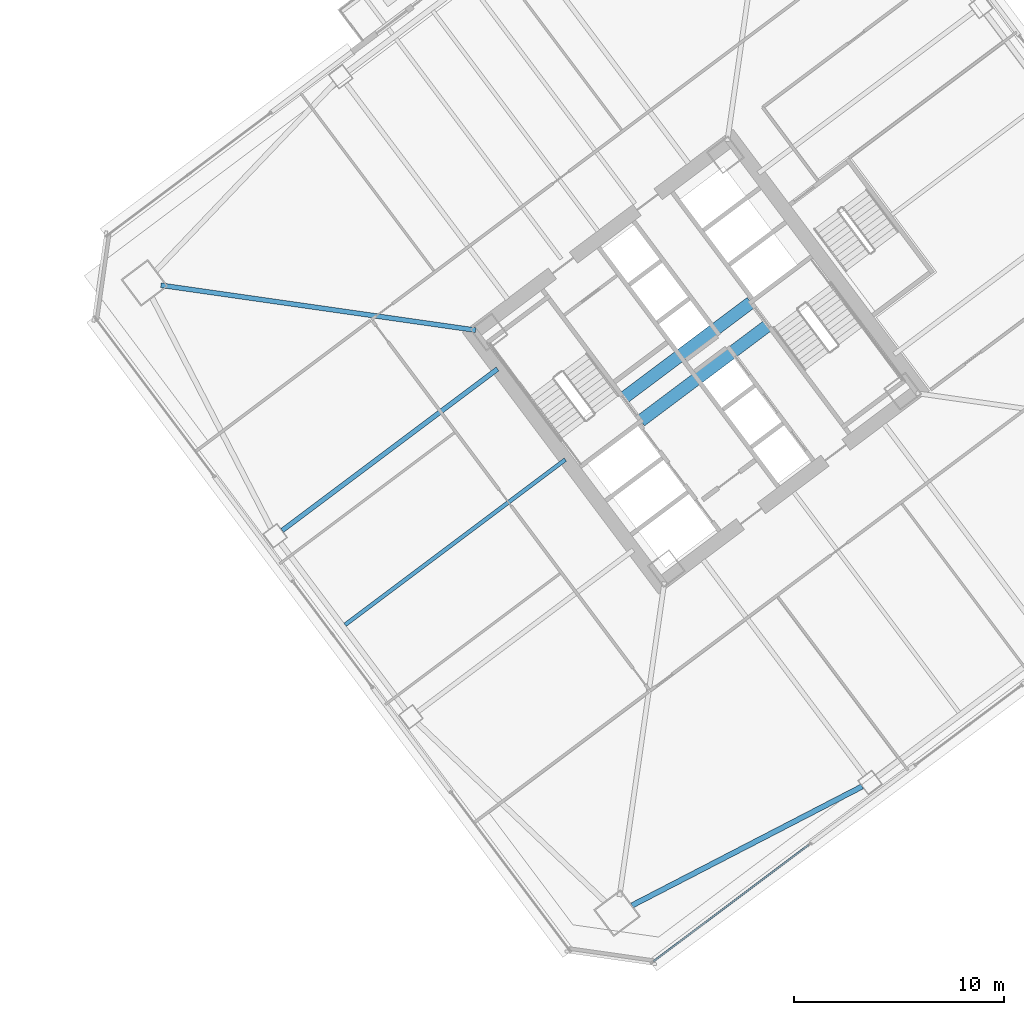
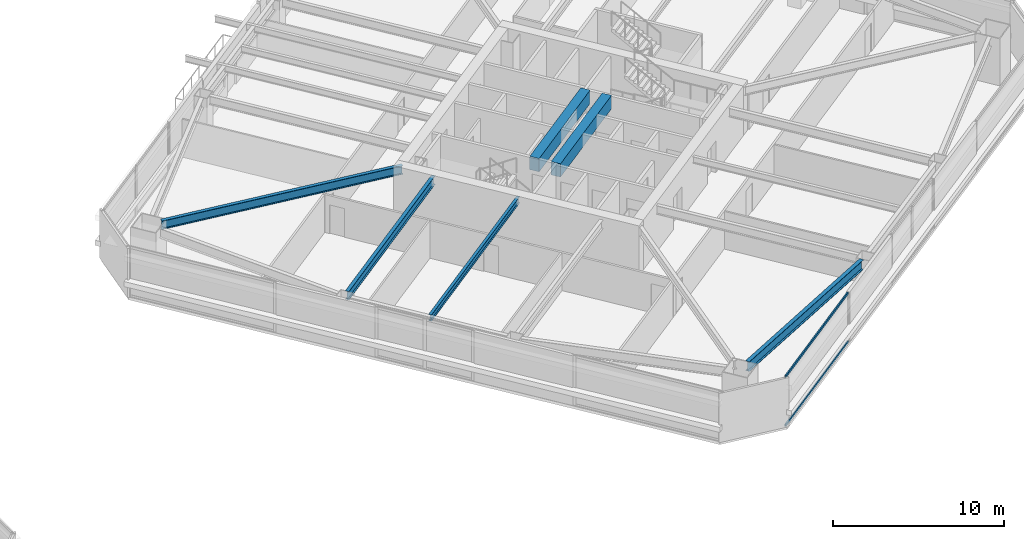
# One storey, part 20 of 45: 6 beams, 2 members, 1 element without a shape of its own.
"""IFC4 building model written with IfcOpenShell, lengths in metres."""

from ifc_helpers import new_model, si_unit, direction, frame, origin, origin_2d, place, context, subcontext, project, spatial, rectangle, hollow_rectangle, i_section, extrude, material, material_profile, profile_set, type_object, element, aggregate, save


model = new_model("IFC4")

# Units and contexts
model_context = context("Model", 3, precision=1e-05, world=origin(), true_north=direction((0.0, 1.0)))
body_context = subcontext(model_context, "Body", "Model", "MODEL_VIEW")
ifc_project = project(units=[si_unit("LENGTHUNIT", "METRE"), si_unit("AREAUNIT", "SQUARE_METRE"), si_unit("VOLUMEUNIT", "CUBIC_METRE"), si_unit("PLANEANGLEUNIT", "RADIAN"), si_unit("MASSUNIT", "GRAM", prefix="KILO")], contexts=[model_context])

# Site, building, storey
site_placement = place(None, origin())
site = spatial("IfcSite", under=ifc_project, at=site_placement, CompositionType="ELEMENT")
building_placement = place(site_placement, origin())
building = spatial("IfcBuilding", under=site, at=building_placement, Name="Tashvorn Skyway Center", CompositionType="ELEMENT")
storey_placement = place(building_placement, frame((0.0, 0.0, 35.25)))
storey = spatial("IfcBuildingStorey", under=building, at=storey_placement, Name="L08", CompositionType="ELEMENT", Elevation=35.25)

# Beams
ifc_material_1 = material(Name="Steel ASTM A992 Grade 50", Category="steel")
ifc_material_profile_1 = material_profile(ifc_material_1, i_section(OverallWidth=0.22998046875, OverallDepth=0.616943359375, WebThickness=0.01318359375, FlangeThickness=0.022216796875, at=origin_2d()), Name="W24X94")
ifc_profile_set_1 = profile_set([ifc_material_profile_1], Name="Steel ASTM A992 Grade 50")
beam_type_1 = type_object("IfcBeamType", Name="BM-BEAM-W24X94", PredefinedType="BEAM", material=ifc_profile_set_1)
beam_1_placement = place(storey_placement, frame((88.467041015625, 35.6474609375, 3.04150390625), z_axis=(0.989950458816, -0.141414599991, 0.0), x_axis=(0.141414599991, 0.989950458816, 0.0)))
element("IfcBeam", 1, at=beam_1_placement, inside=storey, type_object=beam_type_1, Name="Tower 2 L08 Primary Floor Girder MC-NW", PredefinedType="BEAM", context=body_context, shape_type="SweptSolid", body=[
    extrude(i_section(OverallWidth=0.22998046875, OverallDepth=0.616943359375, WebThickness=0.01318359375, FlangeThickness=0.022216796875, at=origin_2d()), origin(), (0.0, 0.0, 1.0), 15.177001953125),
])
beam_2_placement = place(storey_placement, frame((94.256103515625, 23.94189453125, 3.04150390625), z_axis=(0.799986320265, 0.600018239213, 0.0), x_axis=(-0.600018239213, 0.799986320265, 0.0)))
element("IfcBeam", 2, at=beam_2_placement, inside=storey, type_object=beam_type_1, Name="Tower 2 L08 Primary Floor Girder FC-W1", PredefinedType="BEAM", context=body_context, shape_type="SweptSolid", body=[
    extrude(i_section(OverallWidth=0.22998046875, OverallDepth=0.616943359375, WebThickness=0.01318359375, FlangeThickness=0.022216796875, at=origin_2d()), origin(), (0.0, 0.0, 1.0), 12.849853515625),
])
ifc_material_profile_2 = material_profile(ifc_material_1, i_section(OverallWidth=0.19091796875, OverallDepth=0.4599609375, WebThickness=0.010009765625, FlangeThickness=0.01611328125, at=origin_2d()), Name="W18X55")
ifc_profile_set_2 = profile_set([ifc_material_profile_2], Name="Steel ASTM A992 Grade 50")
beam_type_2 = type_object("IfcBeamType", Name="BM-JOIST-W18X55", PredefinedType="JOIST", material=ifc_profile_set_2)
beam_3_placement = place(storey_placement, frame((107.76806640625, 27.325927734375, 3.1201171875), z_axis=(-0.799997770398, -0.600002972791, 0.0), x_axis=(0.600002972791, -0.799997770398, 0.0)))
element("IfcBeam", 3, at=beam_3_placement, inside=storey, type_object=beam_type_2, Name="Tower 2 L08 Secondary Composite Joist JW", PredefinedType="JOIST", context=body_context, shape_type="SweptSolid", body=[
    extrude(i_section(OverallWidth=0.19091796875, OverallDepth=0.4599609375, WebThickness=0.010009765625, FlangeThickness=0.01611328125, at=origin_2d()), origin(), (0.0, 0.0, 1.0), 13.139892578125),
])
ifc_material_2 = material(Name="Concrete C60/75", Category="concrete")
ifc_material_profile_3 = material_profile(ifc_material_2, rectangle(XDim=0.60009765625, YDim=0.949951171875, at=origin_2d()), Name="RCB600x950")
ifc_profile_set_3 = profile_set([ifc_material_profile_3], Name="Concrete C60/75")
beam_type_3 = type_object("IfcBeamType", Name="BM-LINTEL-RCB600x950", PredefinedType="LINTEL", material=ifc_profile_set_3)
for number, where, z_axis, x_axis, name in (
    (4, (110.552001953125, 30.263916015625, 2.875), (0.8, 0.6, 0.0), (-0.6, 0.8, 0.0), "Tower 2 L08 Core Coupling Beam CN"),
    (5, (111.367919921875, 29.176025390625, 2.875), (0.8, 0.6, 0.0), (-0.6, 0.8, 0.0), "Tower 2 L08 Core Coupling Beam CS"),
):
    element("IfcBeam", number, at=place(storey_placement, frame(where, z_axis=z_axis, x_axis=x_axis)), inside=storey, type_object=beam_type_3, Name=name, PredefinedType="LINTEL", context=body_context, shape_type="SweptSolid", body=[
        extrude(rectangle(XDim=0.60009765625, YDim=0.949951171875, at=origin_2d()), origin(), (0.0, 0.0, 1.0), 7.60009765625),
    ])
ifc_material_profile_4 = material_profile(ifc_material_1, i_section(OverallWidth=0.256103515625, OverallDepth=0.693115234375, WebThickness=0.014404296875, FlangeThickness=0.023681640625, at=origin_2d()), Name="W27X114")
ifc_profile_set_4 = profile_set([ifc_material_profile_4], Name="Steel ASTM A992 Grade 50")
beam_type_4 = type_object("IfcBeamType", Name="BM-SPANDREL-W27X114", PredefinedType="SPANDREL", material=ifc_profile_set_4)
beam_4_placement = place(storey_placement, frame((110.9462890625, 6.045166015625, 3.00341796875), z_axis=(0.888315637339, 0.459233413919, 0.0), x_axis=(-0.459233413919, 0.888315637339, 0.0)))
element("IfcBeam", 6, at=beam_4_placement, inside=storey, type_object=beam_type_4, Name="Tower 2 L08 Spandrel Beam 01", PredefinedType="SPANDREL", context=body_context, shape_type="SweptSolid", body=[
    extrude(i_section(OverallWidth=0.256103515625, OverallDepth=0.693115234375, WebThickness=0.014404296875, FlangeThickness=0.023681640625, at=origin_2d()), origin(), (0.0, 0.0, 1.0), 12.37255859375),
])

# Curtain wall, members
ifc_material_3 = material(Name="Thermally broken bronze-anodized aluminium 6063-T6", Category="aluminium")
curtain_wall_type = type_object("IfcCurtainWallType", Name="CW-CW-Z1", PredefinedType="NOTDEFINED", material=ifc_material_3)
curtain_wall_placement = place(storey_placement, origin())
curtain_wall = element("IfcCurtainWall", 7, at=curtain_wall_placement, inside=storey, type_object=curtain_wall_type, Name="Tower 2 L08 South Unitised Curtain Wall Glazing Group 3", PredefinedType="NOTDEFINED")
ifc_material_profile_5 = material_profile(ifc_material_3, hollow_rectangle(XDim=0.0849609375, YDim=0.1650390625, WallThickness=0.0048828125, at=origin_2d()), Name="ALU-TRAN-85x165")
ifc_profile_set_5 = profile_set([ifc_material_profile_5], Name="Thermally broken bronze-anodized aluminium 6063-T6")
member_type = type_object("IfcMemberType", Name="CWT-CW-Z1", PredefinedType="USERDEFINED", material=ifc_profile_set_5)
member_1_placement = place(storey_placement, frame((119.387939453125, 8.94091796875, 0.04248046875), z_axis=(-0.8, -0.6, 0.0), x_axis=(0.6, -0.8, 0.0)))
member_1 = element("IfcMember", 8, at=member_1_placement, type_object=member_type, Name="CW-Z1 transom 1.1", ObjectType="TRANSOM", PredefinedType="USERDEFINED", context=body_context, shape_type="SweptSolid", body=[
    extrude(hollow_rectangle(XDim=0.0849609375, YDim=0.1650390625, WallThickness=0.0048828125, at=origin_2d()), origin(), (0.0, 0.0, 1.0), 9.27001953125),
])
member_2_placement = place(storey_placement, frame((119.387939453125, 8.94091796875, 3.507568359375), z_axis=(-0.8, -0.6, 0.0), x_axis=(0.6, -0.8, 0.0)))
member_2 = element("IfcMember", 9, at=member_2_placement, type_object=member_type, Name="CW-Z1 transom 1.2", ObjectType="TRANSOM", PredefinedType="USERDEFINED", context=body_context, shape_type="SweptSolid", body=[
    extrude(hollow_rectangle(XDim=0.0849609375, YDim=0.1650390625, WallThickness=0.0048828125, at=origin_2d()), origin(), (0.0, 0.0, 1.0), 9.27001953125),
])
aggregate(curtain_wall, [member_1, member_2])

save(model, "model.ifc")
